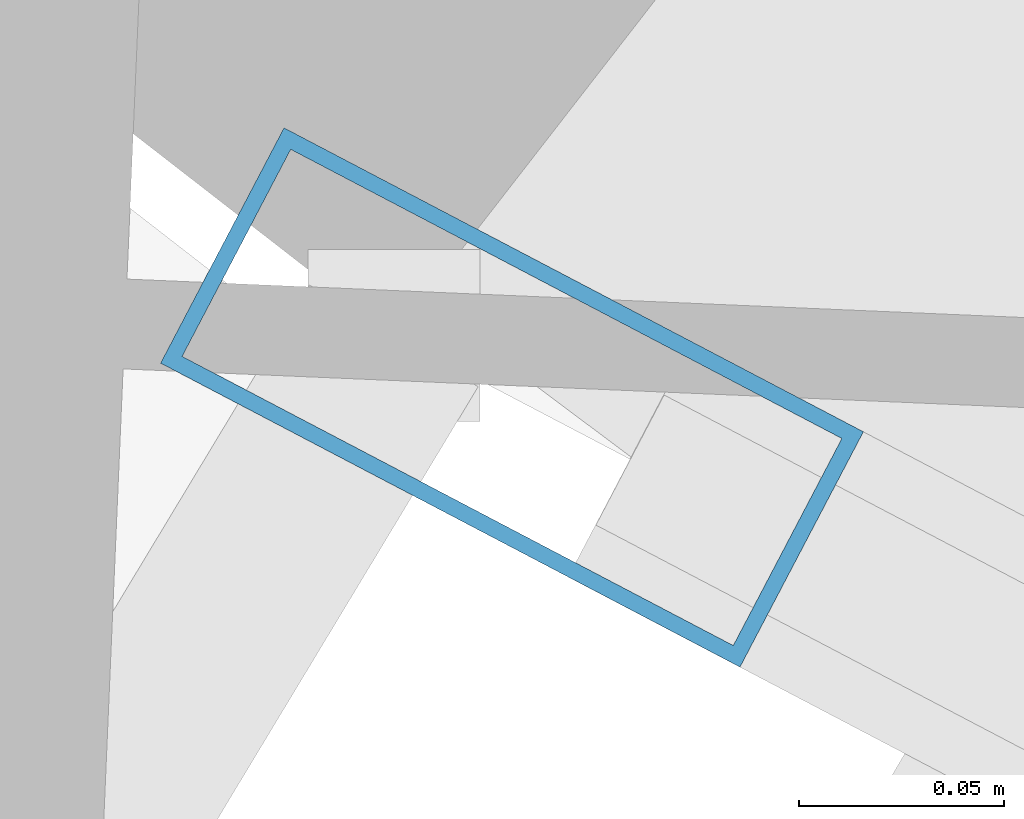
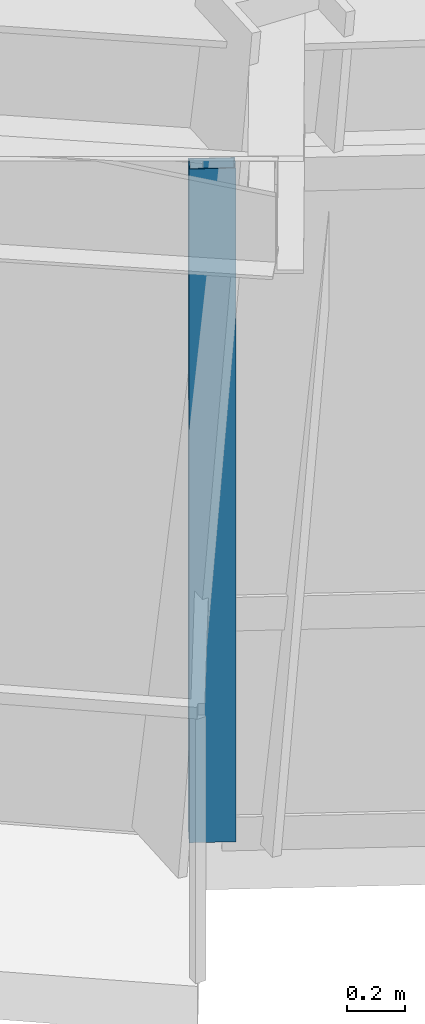
# One storey, part 2 of 14: 1 member, 1 element without a shape of its own.
"""IFC4 building model written with IfcOpenShell, lengths in metres."""

from ifc_helpers import new_model, si_unit, direction, frame, origin, origin_2d, place, context, subcontext, project, spatial, hollow_rectangle, extrude, source, transform, mapped, material, material_profile, profile_set, type_object, element, aggregate, save


model = new_model("IFC4")

# Units and contexts
model_context = context("Model", 3, precision=1e-05, world=origin(), true_north=direction((0.0, 1.0)))
body_context = subcontext(model_context, "Body", "Model", "MODEL_VIEW")
ifc_project = project(units=[si_unit("LENGTHUNIT", "METRE"), si_unit("AREAUNIT", "SQUARE_METRE"), si_unit("VOLUMEUNIT", "CUBIC_METRE"), si_unit("PLANEANGLEUNIT", "RADIAN"), si_unit("MASSUNIT", "GRAM", prefix="KILO")], contexts=[model_context])

# Site, building, storey
site_placement = place(None, origin())
site = spatial("IfcSite", under=ifc_project, at=site_placement, CompositionType="ELEMENT")
building_placement = place(site_placement, origin())
building = spatial("IfcBuilding", under=site, at=building_placement, Name="Olszyna Solenne Hotel", CompositionType="ELEMENT")
storey_placement = place(building_placement, frame((0.0, 0.0, 274.10009765625)))
storey = spatial("IfcBuildingStorey", under=building, at=storey_placement, Name="L73", CompositionType="ELEMENT", Elevation=274.10009765625)

# Curtain wall, member
ifc_material = material(Name="Anodised bronze aluminium", Category="aluminium")
curtain_wall_type = type_object("IfcCurtainWallType", Name="CW-SYS-4", PredefinedType="NOTDEFINED", material=ifc_material)
curtain_wall_placement = place(storey_placement, origin())
curtain_wall = element("IfcCurtainWall", 1, at=curtain_wall_placement, inside=storey, type_object=curtain_wall_type, Name="Unitised curtain wall CW-SYS-4 CW-L73-01", PredefinedType="NOTDEFINED")
ifc_material_profile = material_profile(ifc_material, hollow_rectangle(XDim=0.06494140625, YDim=0.159912109375, WallThickness=0.00390625, at=origin_2d()), Name="MULL 160x65x4", Category="load-bearing")
ifc_profile_set = profile_set([ifc_material_profile], Name="Anodised bronze aluminium")
member_type = type_object("IfcMemberType", Name="CW-M3", PredefinedType="MULLION", material=ifc_profile_set)
shared_shape = source(origin(), body_context, "Body", "SweptSolid", [
    extrude(hollow_rectangle(XDim=0.06494140625, YDim=0.159912109375, WallThickness=0.00390625, at=origin_2d()), origin(), (0.0, 0.0, 1.0), 2.81201171875),
])
member_placement = place(storey_placement, frame((29.720458984375, 12.886474609375, 0.0), z_axis=(0.0, 0.0, 1.0), x_axis=(0.464494136331, 0.885576195092, 0.0)))
member = element("IfcMember", 2, at=member_placement, type_object=member_type, Name="Curtain-wall mullion CW-M3 CM-L73-01-01", PredefinedType="MULLION", context=body_context, shape_type="MappedRepresentation", body=[
    mapped(shared_shape, transform((0.0, 0.0, 0.0), x_axis=(1.0, 0.0, 0.0), y_axis=(0.0, 1.0, 0.0), z_axis=(0.0, 0.0, 1.0), scale=1.0)),
])
aggregate(curtain_wall, [member])

save(model, "model.ifc")
